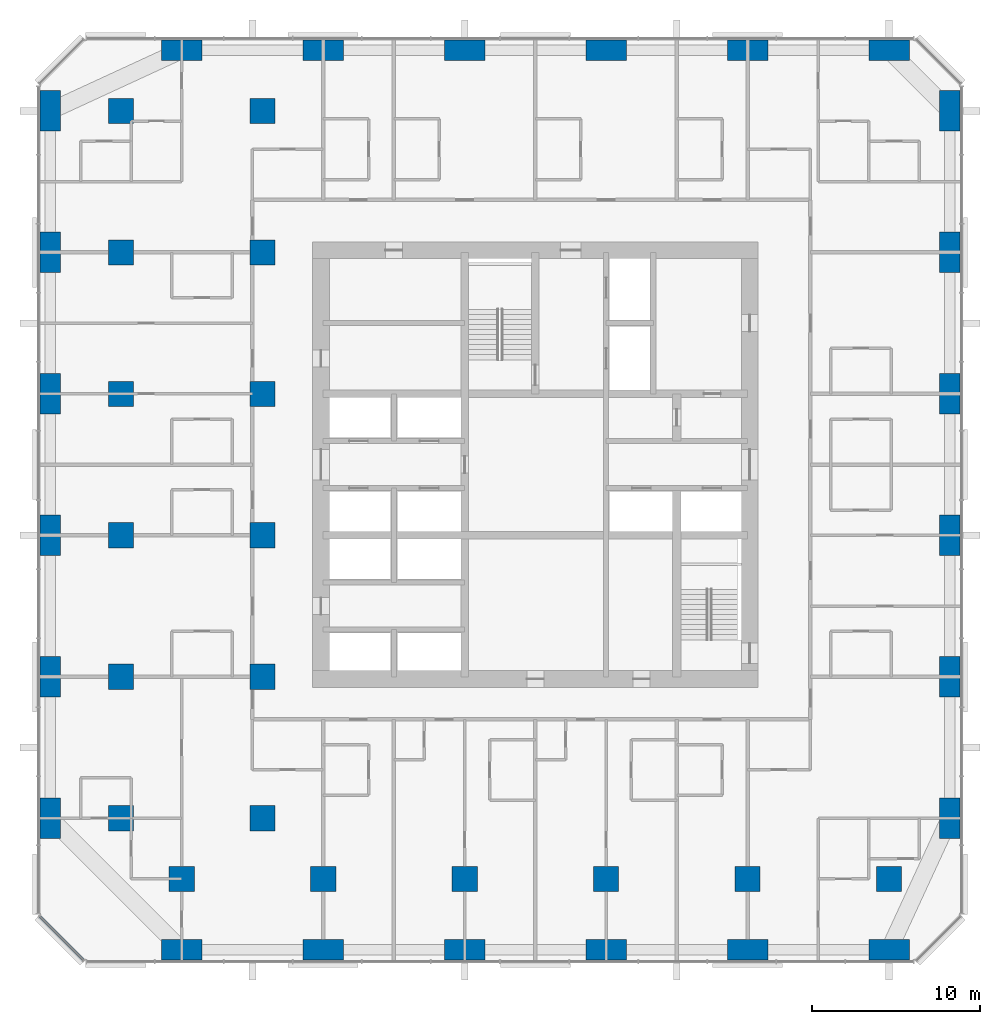
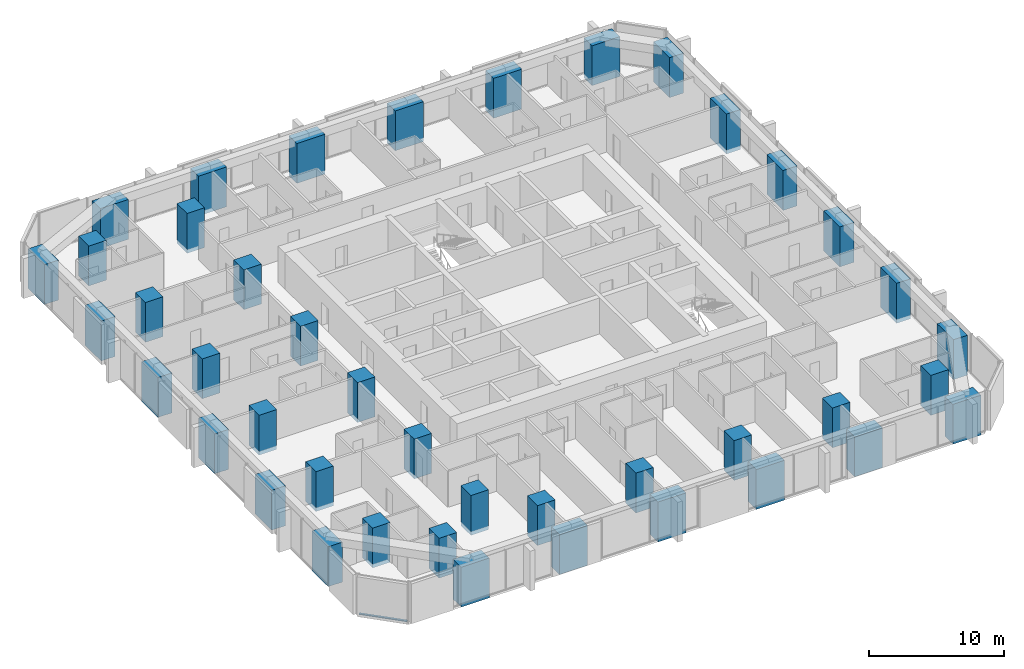
# One storey, part 1 of 14: 42 columns, 1 member, 1 element without a shape of its own.
"""IFC4 building model written with IfcOpenShell, lengths in metres."""

from ifc_helpers import new_model, si_unit, direction, frame, origin, origin_2d, place, context, subcontext, project, spatial, rectangle, extrude, material, material_profile, profile_set, type_object, element, aggregate, save


model = new_model("IFC4")

# Units and contexts
model_context = context("Model", 3, precision=1e-05, world=origin(), true_north=direction((0.0, 1.0)))
body_context = subcontext(model_context, "Body", "Model", "MODEL_VIEW")
ifc_project = project(units=[si_unit("LENGTHUNIT", "METRE"), si_unit("AREAUNIT", "SQUARE_METRE"), si_unit("VOLUMEUNIT", "CUBIC_METRE"), si_unit("PLANEANGLEUNIT", "RADIAN"), si_unit("MASSUNIT", "GRAM", prefix="KILO")], contexts=[model_context])

# Site, building, storey
site_placement = place(None, origin())
site = spatial("IfcSite", under=ifc_project, at=site_placement, CompositionType="ELEMENT")
building_placement = place(site_placement, origin())
building = spatial("IfcBuilding", under=site, at=building_placement, Name="Dunama Terrace Hotel", CompositionType="ELEMENT")
storey_placement = place(building_placement, frame((0.0, 0.0, 140.39990234375)))
storey = spatial("IfcBuildingStorey", under=building, at=storey_placement, Name="L36", CompositionType="ELEMENT", Elevation=140.39990234375)

# Columns
ifc_material_1 = material(Name="Concrete C60/75", Category="concrete")
ifc_material_profile_1 = material_profile(ifc_material_1, rectangle(XDim=1.199951171875, YDim=2.39990234375, at=origin_2d()), Name="RC 1200x2400")
ifc_profile_set_1 = profile_set([ifc_material_profile_1], Name="Concrete C60/75")
column_type_1 = type_object("IfcColumnType", Name="Column RC 1200x2400", PredefinedType="COLUMN", material=ifc_profile_set_1)
for number, where, z_axis, x_axis, name in (
    (1, (0.60009765625, 8.39990234375, -0.349853515625), (0.0, 0.0, 1.0), (1.0, 0.0, 0.0), "Column L36 +0.6/+8.4"),
    (2, (0.60009765625, 16.800048828125, -0.349853515625), (0.0, 0.0, 1.0), (1.0, 0.0, 0.0), "Column L36 +0.6/+16.8"),
    (3, (0.60009765625, 25.199951171875, -0.349853515625), (0.0, 0.0, 1.0), (1.0, 0.0, 0.0), "Column L36 +0.6/+25.2"),
    (4, (0.60009765625, 33.60009765625, -0.349853515625), (0.0, 0.0, 1.0), (1.0, 0.0, 0.0), "Column L36 +0.6/+33.6"),
    (5, (0.60009765625, 42.0, -0.349853515625), (0.0, 0.0, 1.0), (1.0, 0.0, 0.0), "Column L36 +0.6/+42.0"),
    (6, (0.60009765625, 50.39990234375, -0.349853515625), (0.0, 0.0, 1.0), (1.0, 0.0, 0.0), "Column L36 +0.6/+50.4"),
    (7, (54.0, 8.39990234375, -0.349853515625), (0.0, 0.0, 1.0), (1.0, 0.0, 0.0), "Column L36 +54.0/+8.4"),
    (8, (54.0, 16.800048828125, -0.349853515625), (0.0, 0.0, 1.0), (1.0, 0.0, 0.0), "Column L36 +54.0/+16.8"),
    (9, (54.0, 25.199951171875, -0.349853515625), (0.0, 0.0, 1.0), (1.0, 0.0, 0.0), "Column L36 +54.0/+25.2"),
    (10, (54.0, 33.60009765625, -0.349853515625), (0.0, 0.0, 1.0), (1.0, 0.0, 0.0), "Column L36 +54.0/+33.6"),
    (11, (54.0, 42.0, -0.349853515625), (0.0, 0.0, 1.0), (1.0, 0.0, 0.0), "Column L36 +54.0/+42.0"),
    (12, (54.0, 50.39990234375, -0.349853515625), (0.0, 0.0, 1.0), (1.0, 0.0, 0.0), "Column L36 +54.0/+50.4"),
):
    element("IfcColumn", number, at=place(storey_placement, frame(where, z_axis=z_axis, x_axis=x_axis)), inside=storey, type_object=column_type_1, Name=name, PredefinedType="COLUMN", context=body_context, shape_type="SweptSolid", body=[
        extrude(rectangle(XDim=1.199951171875, YDim=2.39990234375, at=origin_2d()), origin(), (0.0, 0.0, 1.0), 3.599853515625),
    ])
ifc_material_2 = material(Name="Concrete C60/75", Category="concrete")
ifc_material_profile_2 = material_profile(ifc_material_2, rectangle(XDim=1.5, YDim=1.5, at=origin_2d()), Name="RC 1500x1500")
ifc_profile_set_2 = profile_set([ifc_material_profile_2], Name="Concrete C60/75")
column_type_2 = type_object("IfcColumnType", Name="Column RC 1500x1500", PredefinedType="COLUMN", material=ifc_profile_set_2)
for number, where, z_axis, x_axis, name in (
    (13, (4.800048828125, 8.39990234375, -0.349853515625), (0.0, 0.0, 1.0), (1.0, 0.0, 0.0), "Column L36 +4.8/+8.4"),
    (14, (4.800048828125, 16.800048828125, -0.349853515625), (0.0, 0.0, 1.0), (1.0, 0.0, 0.0), "Column L36 +4.8/+16.8"),
    (15, (4.800048828125, 25.199951171875, -0.349853515625), (0.0, 0.0, 1.0), (1.0, 0.0, 0.0), "Column L36 +4.8/+25.2"),
    (16, (4.800048828125, 33.60009765625, -0.349853515625), (0.0, 0.0, 1.0), (1.0, 0.0, 0.0), "Column L36 +4.8/+33.6"),
    (17, (4.800048828125, 42.0, -0.349853515625), (0.0, 0.0, 1.0), (1.0, 0.0, 0.0), "Column L36 +4.8/+42.0"),
    (18, (4.800048828125, 50.39990234375, -0.349853515625), (0.0, 0.0, 1.0), (1.0, 0.0, 0.0), "Column L36 +4.8/+50.4"),
    (19, (8.39990234375, 4.800048828125, -0.349853515625), (0.0, 0.0, 1.0), (1.0, 0.0, 0.0), "Column L36 +8.4/+4.8"),
    (20, (13.199951171875, 8.39990234375, -0.349853515625), (0.0, 0.0, 1.0), (1.0, 0.0, 0.0), "Column L36 +13.2/+8.4"),
    (21, (13.199951171875, 16.800048828125, -0.349853515625), (0.0, 0.0, 1.0), (1.0, 0.0, 0.0), "Column L36 +13.2/+16.8"),
    (22, (13.199951171875, 25.199951171875, -0.349853515625), (0.0, 0.0, 1.0), (1.0, 0.0, 0.0), "Column L36 +13.2/+25.2"),
    (23, (13.199951171875, 33.60009765625, -0.349853515625), (0.0, 0.0, 1.0), (1.0, 0.0, 0.0), "Column L36 +13.2/+33.6"),
    (24, (13.199951171875, 42.0, -0.349853515625), (0.0, 0.0, 1.0), (1.0, 0.0, 0.0), "Column L36 +13.2/+42.0"),
    (25, (13.199951171875, 50.39990234375, -0.349853515625), (0.0, 0.0, 1.0), (1.0, 0.0, 0.0), "Column L36 +13.2/+50.4"),
    (26, (16.800048828125, 4.800048828125, -0.349853515625), (0.0, 0.0, 1.0), (1.0, 0.0, 0.0), "Column L36 +16.8/+4.8"),
    (27, (25.199951171875, 4.800048828125, -0.349853515625), (0.0, 0.0, 1.0), (1.0, 0.0, 0.0), "Column L36 +25.2/+4.8"),
    (28, (33.60009765625, 4.800048828125, -0.349853515625), (0.0, 0.0, 1.0), (1.0, 0.0, 0.0), "Column L36 +33.6/+4.8"),
    (29, (42.0, 4.800048828125, -0.349853515625), (0.0, 0.0, 1.0), (1.0, 0.0, 0.0), "Column L36 +42.0/+4.8"),
    (30, (50.39990234375, 4.800048828125, -0.349853515625), (0.0, 0.0, 1.0), (1.0, 0.0, 0.0), "Column L36 +50.4/+4.8"),
):
    element("IfcColumn", number, at=place(storey_placement, frame(where, z_axis=z_axis, x_axis=x_axis)), inside=storey, type_object=column_type_2, Name=name, PredefinedType="COLUMN", context=body_context, shape_type="SweptSolid", body=[
        extrude(rectangle(XDim=1.5, YDim=1.5, at=origin_2d()), origin(), (0.0, 0.0, 1.0), 3.599853515625),
    ])
ifc_material_3 = material(Name="Concrete C60/75", Category="concrete")
ifc_material_profile_3 = material_profile(ifc_material_3, rectangle(XDim=2.39990234375, YDim=1.199951171875, at=origin_2d()), Name="RC 2400x1200")
ifc_profile_set_3 = profile_set([ifc_material_profile_3], Name="Concrete C60/75")
column_type_3 = type_object("IfcColumnType", Name="Column RC 2400x1200", PredefinedType="COLUMN", material=ifc_profile_set_3)
for number, where, z_axis, x_axis, name in (
    (31, (8.39990234375, 0.60009765625, -0.349853515625), (0.0, 0.0, 1.0), (1.0, 0.0, 0.0), "Column L36 +8.4/+0.6"),
    (32, (8.39990234375, 54.0, -0.349853515625), (0.0, 0.0, 1.0), (1.0, 0.0, 0.0), "Column L36 +8.4/+54.0"),
    (33, (16.800048828125, 0.60009765625, -0.349853515625), (0.0, 0.0, 1.0), (1.0, 0.0, 0.0), "Column L36 +16.8/+0.6"),
    (34, (16.800048828125, 54.0, -0.349853515625), (0.0, 0.0, 1.0), (1.0, 0.0, 0.0), "Column L36 +16.8/+54.0"),
    (35, (25.199951171875, 0.60009765625, -0.349853515625), (0.0, 0.0, 1.0), (1.0, 0.0, 0.0), "Column L36 +25.2/+0.6"),
    (36, (25.199951171875, 54.0, -0.349853515625), (0.0, 0.0, 1.0), (1.0, 0.0, 0.0), "Column L36 +25.2/+54.0"),
    (37, (33.60009765625, 0.60009765625, -0.349853515625), (0.0, 0.0, 1.0), (1.0, 0.0, 0.0), "Column L36 +33.6/+0.6"),
    (38, (33.60009765625, 54.0, -0.349853515625), (0.0, 0.0, 1.0), (1.0, 0.0, 0.0), "Column L36 +33.6/+54.0"),
    (39, (42.0, 0.60009765625, -0.349853515625), (0.0, 0.0, 1.0), (1.0, 0.0, 0.0), "Column L36 +42.0/+0.6"),
    (40, (42.0, 54.0, -0.349853515625), (0.0, 0.0, 1.0), (1.0, 0.0, 0.0), "Column L36 +42.0/+54.0"),
    (41, (50.39990234375, 0.60009765625, -0.349853515625), (0.0, 0.0, 1.0), (1.0, 0.0, 0.0), "Column L36 +50.4/+0.6"),
    (42, (50.39990234375, 54.0, -0.349853515625), (0.0, 0.0, 1.0), (1.0, 0.0, 0.0), "Column L36 +50.4/+54.0"),
):
    element("IfcColumn", number, at=place(storey_placement, frame(where, z_axis=z_axis, x_axis=x_axis)), inside=storey, type_object=column_type_3, Name=name, PredefinedType="COLUMN", context=body_context, shape_type="SweptSolid", body=[
        extrude(rectangle(XDim=2.39990234375, YDim=1.199951171875, at=origin_2d()), origin(), (0.0, 0.0, 1.0), 3.599853515625),
    ])

# Curtain wall, member
ifc_material_4 = material(Name="Aluminium curtain wall system", Category="aluminium")
curtain_wall_type = type_object("IfcCurtainWallType", Name="Unitised fritted glass wall CW-B", PredefinedType="NOTDEFINED", material=ifc_material_4)
curtain_wall_placement = place(storey_placement, origin())
curtain_wall = element("IfcCurtainWall", 43, at=curtain_wall_placement, inside=storey, type_object=curtain_wall_type, Name="Unitised fritted glass wall CW-B L36", PredefinedType="NOTDEFINED")
ifc_material_5 = material(Name="Aluminium transom", Category="aluminium")
ifc_material_profile_4 = material_profile(ifc_material_5, rectangle(XDim=0.179931640625, YDim=0.080078125, at=origin_2d()), Name="CWB TRANSOM 180X80")
ifc_profile_set_4 = profile_set([ifc_material_profile_4], Name="Aluminium transom")
member_type = type_object("IfcMemberType", Name="CWB transom 180x80", PredefinedType="USERDEFINED", material=ifc_profile_set_4)
member_placement = place(storey_placement, frame((-0.031982421875, 2.575927734375, 0.0400390625), z_axis=(0.707106781187, -0.707106781187, 0.0), x_axis=(0.707106781187, 0.707106781187, 0.0)))
member = element("IfcMember", 44, at=member_placement, type_object=member_type, Name="CWB transom", ObjectType="TRANSOM", PredefinedType="USERDEFINED", context=body_context, shape_type="SweptSolid", body=[
    extrude(rectangle(XDim=0.179931640625, YDim=0.080078125, at=origin_2d()), origin(), (0.0, 0.0, 1.0), 3.688232421875),
])
aggregate(curtain_wall, [member])

save(model, "model.ifc")
